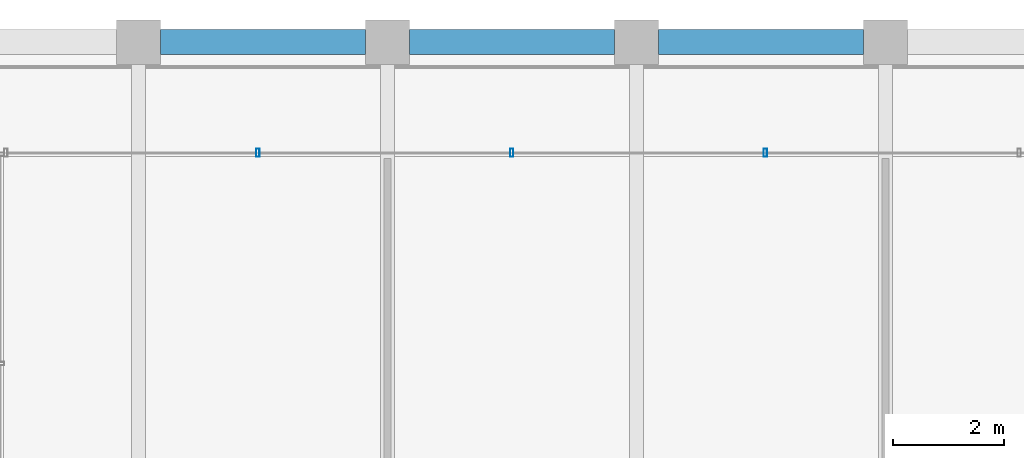
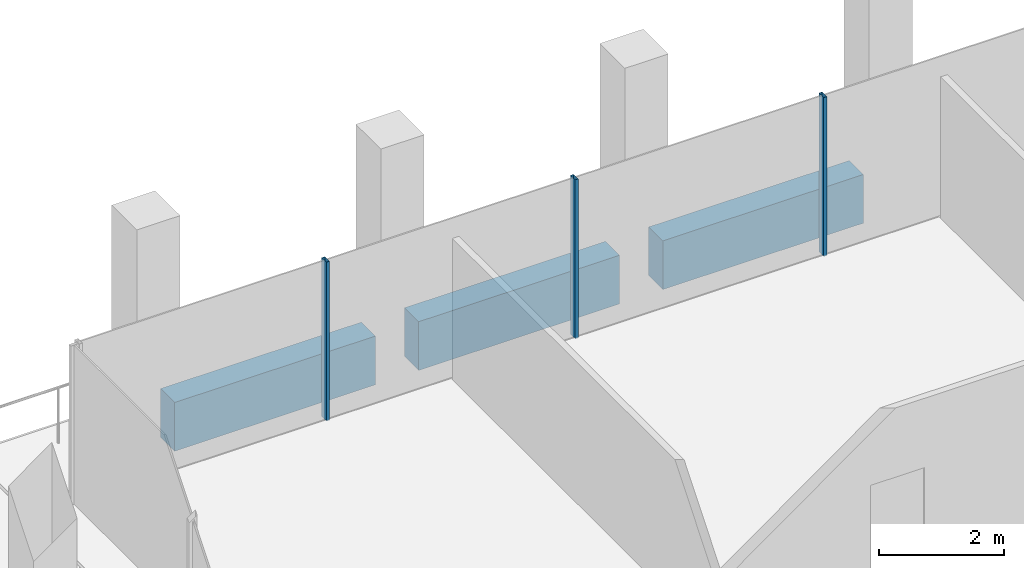
# One storey, part 23 of 30: 3 beams, 3 members, 1 element without a shape of its own.
"""IFC4 building model written with IfcOpenShell, lengths in metres."""

from ifc_helpers import new_model, si_unit, direction, frame, origin, origin_2d, place, context, subcontext, project, spatial, rectangle, hollow_rectangle, extrude, material, material_profile, profile_set, type_object, element, aggregate, save


model = new_model("IFC4")

# Units and contexts
model_context = context("Model", 3, precision=1e-05, world=origin(), true_north=direction((0.0, 1.0)))
body_context = subcontext(model_context, "Body", "Model", "MODEL_VIEW")
ifc_project = project(units=[si_unit("LENGTHUNIT", "METRE"), si_unit("AREAUNIT", "SQUARE_METRE"), si_unit("VOLUMEUNIT", "CUBIC_METRE"), si_unit("PLANEANGLEUNIT", "RADIAN"), si_unit("MASSUNIT", "GRAM", prefix="KILO")], contexts=[model_context])

# Site, building, storey
site_placement = place(None, origin())
site = spatial("IfcSite", under=ifc_project, at=site_placement, CompositionType="ELEMENT")
building_placement = place(site_placement, origin())
building = spatial("IfcBuilding", under=site, at=building_placement, Name="Altepetl Exchange Towers", CompositionType="ELEMENT")
storey_placement = place(building_placement, frame((0.0, 0.0, 235.199951171875)))
storey = spatial("IfcBuildingStorey", under=building, at=storey_placement, Name="L60", CompositionType="ELEMENT", Elevation=235.199951171875)

# Curtain wall, members
ifc_material_1 = material(Name="Aluminium 6063-T6 glazing", Category="aluminium")
curtain_wall_type = type_object("IfcCurtainWallType", Name="Loggia glazing system", PredefinedType="NOTDEFINED", material=ifc_material_1)
curtain_wall_placement = place(storey_placement, origin())
curtain_wall = element("IfcCurtainWall", 1, at=curtain_wall_placement, inside=storey, type_object=curtain_wall_type, Name="CW1 run", PredefinedType="NOTDEFINED")
ifc_material_2 = material(Name="Aluminium 6063-T6", Category="aluminium")
ifc_material_profile_1 = material_profile(ifc_material_2, hollow_rectangle(XDim=0.06005859375, YDim=0.14990234375, WallThickness=0.0029296875, at=origin_2d()), Name="Mullion 60x150 aluminium")
ifc_profile_set_1 = profile_set([ifc_material_profile_1], Name="Aluminium 6063-T6")
member_type = type_object("IfcMemberType", Name="Mullion 60x150 aluminium", PredefinedType="MULLION", material=ifc_profile_set_1)
member_1_placement = place(storey_placement, frame((56.330078125, 70.0, 0.0), z_axis=(0.0, 0.0, 1.0), x_axis=(-1.0, 0.0, 0.0)))
member_1 = element("IfcMember", 2, at=member_1_placement, type_object=member_type, Name="MU1 mullion", PredefinedType="MULLION", context=body_context, shape_type="SweptSolid", body=[
    extrude(hollow_rectangle(XDim=0.06005859375, YDim=0.14990234375, WallThickness=0.0029296875, at=origin_2d()), origin(), (0.0, 0.0, 1.0), 3.10009765625),
])
member_2_placement = place(storey_placement, frame((51.7451171875, 70.0, 0.0), z_axis=(0.0, 0.0, 1.0), x_axis=(-1.0, 0.0, 0.0)))
member_2 = element("IfcMember", 3, at=member_2_placement, type_object=member_type, Name="MU1 mullion", PredefinedType="MULLION", context=body_context, shape_type="SweptSolid", body=[
    extrude(hollow_rectangle(XDim=0.06005859375, YDim=0.14990234375, WallThickness=0.0029296875, at=origin_2d()), origin(), (0.0, 0.0, 1.0), 3.10009765625),
])
member_3_placement = place(storey_placement, frame((47.159912109375, 70.0, 0.0), z_axis=(0.0, 0.0, 1.0), x_axis=(-1.0, 0.0, 0.0)))
member_3 = element("IfcMember", 4, at=member_3_placement, type_object=member_type, Name="MU1 mullion", PredefinedType="MULLION", context=body_context, shape_type="SweptSolid", body=[
    extrude(hollow_rectangle(XDim=0.06005859375, YDim=0.14990234375, WallThickness=0.0029296875, at=origin_2d()), origin(), (0.0, 0.0, 1.0), 3.10009765625),
])
aggregate(curtain_wall, [member_1, member_2, member_3])

# Beams
ifc_material_3 = material(Name="Concrete C50/60 precast with cantera rosa facing", Category="concrete")
ifc_material_profile_2 = material_profile(ifc_material_3, rectangle(XDim=0.449951171875, YDim=0.949951171875, at=origin_2d()), Name="450 x 950")
ifc_profile_set_2 = profile_set([ifc_material_profile_2], Name="Concrete C50/60 precast with cantera rosa facing")
beam_type = type_object("IfcBeamType", Name="Spandrel beam 450x950 cantera rosa", PredefinedType="SPANDREL", material=ifc_profile_set_2)
for number, where, z_axis, x_axis, name in (
    (5, (58.10009765625, 72.0, -0.625), (-1.0, 0.0, 0.0), (0.0, -1.0, 0.0), "sp:A:L60:026"),
    (6, (53.60009765625, 72.0, -0.625), (-1.0, 0.0, 0.0), (0.0, -1.0, 0.0), "sp:A:L60:027"),
    (7, (49.10009765625, 72.0, -0.625), (-1.0, 0.0, 0.0), (0.0, -1.0, 0.0), "sp:A:L60:028"),
):
    element("IfcBeam", number, at=place(storey_placement, frame(where, z_axis=z_axis, x_axis=x_axis)), inside=storey, type_object=beam_type, Name=name, PredefinedType="SPANDREL", context=body_context, shape_type="SweptSolid", body=[
        extrude(rectangle(XDim=0.449951171875, YDim=0.949951171875, at=origin_2d()), origin(), (0.0, 0.0, 1.0), 3.7001953125),
    ])

save(model, "model.ifc")
